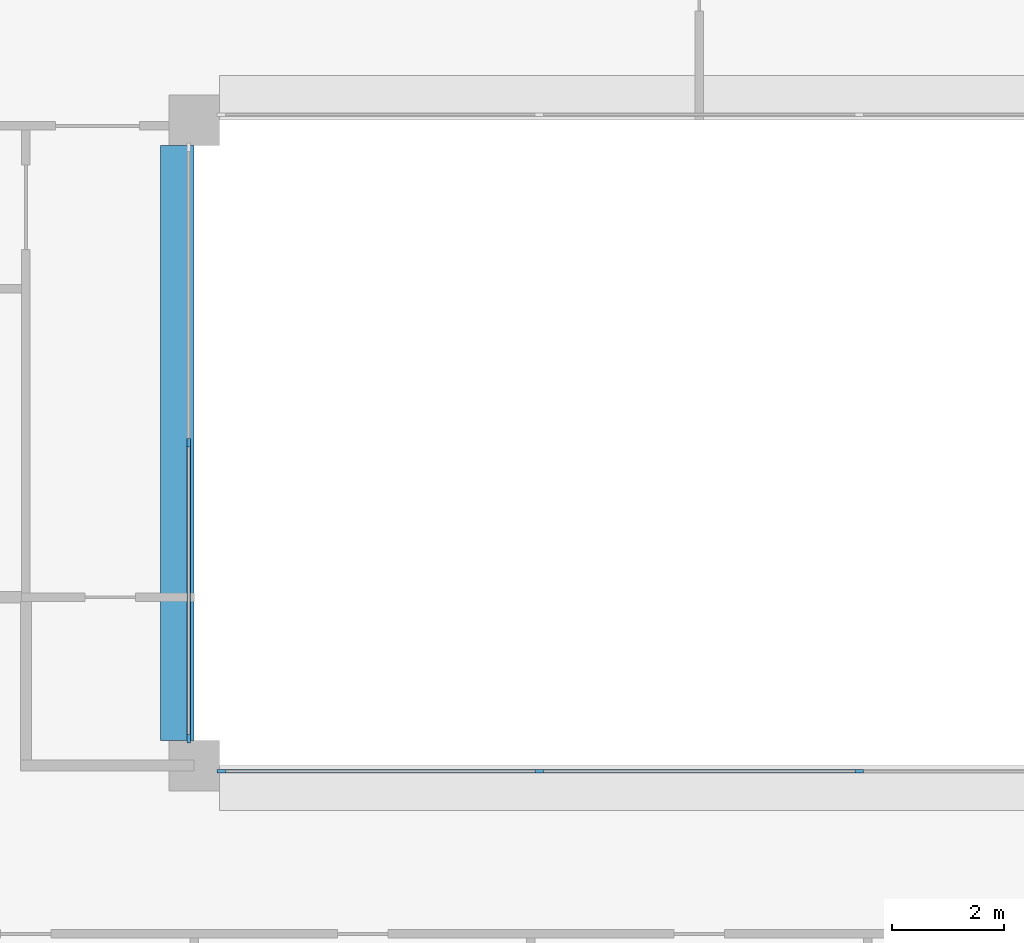
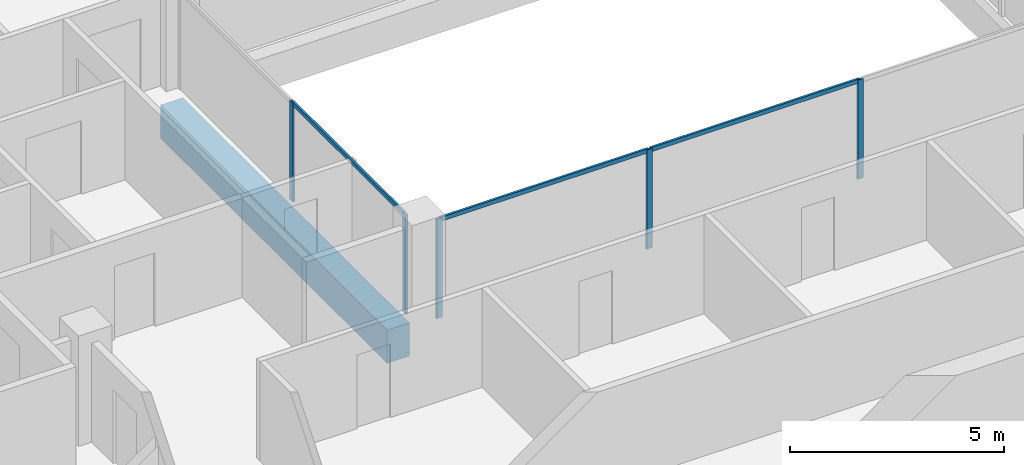
# One storey, part 2 of 16: 8 members, 1 beam, 2 elements without a shape of their own.
"""IFC4 building model written with IfcOpenShell, lengths in metres."""

from ifc_helpers import new_model, si_unit, direction, frame, origin, origin_2d, place, context, subcontext, project, spatial, rectangle, extrude, material, layer, layer_set, material_profile, profile_set, type_object, element, aggregate, save


model = new_model("IFC4")

# Units and contexts
model_context = context("Model", 3, precision=1e-05, world=origin(), true_north=direction((0.0, 1.0)))
body_context = subcontext(model_context, "Body", "Model", "MODEL_VIEW")
ifc_project = project(units=[si_unit("LENGTHUNIT", "METRE"), si_unit("AREAUNIT", "SQUARE_METRE"), si_unit("VOLUMEUNIT", "CUBIC_METRE"), si_unit("PLANEANGLEUNIT", "RADIAN"), si_unit("MASSUNIT", "GRAM", prefix="KILO")], contexts=[model_context])

# Site, building, storey
site_placement = place(None, origin())
site = spatial("IfcSite", under=ifc_project, at=site_placement, CompositionType="ELEMENT")
building_placement = place(site_placement, origin())
building = spatial("IfcBuilding", under=site, at=building_placement, Name="Brigalow Station Residences", CompositionType="ELEMENT")
storey_placement = place(building_placement, frame((0.0, 0.0, 204.300048828125)))
storey = spatial("IfcBuildingStorey", under=building, at=storey_placement, Name="L58", CompositionType="ELEMENT", Elevation=204.300048828125)

# Beam
ifc_material_1 = material(Name="Concrete C65", Category="concrete")
ifc_material_profile_1 = material_profile(ifc_material_1, rectangle(XDim=0.60009765625, YDim=0.949951171875, at=origin_2d()), Name="RC600x950")
ifc_profile_set_1 = profile_set([ifc_material_profile_1], Name="Concrete C65")
beam_type = type_object("IfcBeamType", Name="ATRIUM EDGE GIRDER 600x950 C65", PredefinedType="BEAM", material=ifc_profile_set_1)
beam_placement = place(storey_placement, frame((26.699951171875, 24.449951171875, -0.795166015625), z_axis=(0.0, 1.0, 0.0), x_axis=(-1.0, 0.0, 0.0)))
element("IfcBeam", 1, at=beam_placement, inside=storey, type_object=beam_type, Name="ATRIUM EDGE GIRDER 3 L58", PredefinedType="BEAM", context=body_context, shape_type="SweptSolid", body=[
    extrude(rectangle(XDim=0.60009765625, YDim=0.949951171875, at=origin_2d()), origin(), (0.0, 0.0, 1.0), 10.60009765625),
])

# Curtain wall, members
ifc_material_2 = material(Name="Aluminium", Category="aluminium")
ifc_layer = layer(ifc_material_2, 0.14990234375)
ifc_layer_set = layer_set([ifc_layer], Name="ATRIUM FIRE-RATED GLAZING CURTAIN WALL")
curtain_wall_type = type_object("IfcCurtainWallType", Name="ATRIUM FIRE-RATED GLAZING CURTAIN WALL", PredefinedType="NOTDEFINED", material=ifc_layer_set)
curtain_wall_1_placement = place(storey_placement, origin())
curtain_wall_1 = element("IfcCurtainWall", 2, at=curtain_wall_1_placement, inside=storey, type_object=curtain_wall_type, Name="L58/cw/atrium-S", PredefinedType="NOTDEFINED")
ifc_material_3 = material(Name="Aluminium", Category="aluminium")
ifc_material_profile_2 = material_profile(ifc_material_3, rectangle(XDim=0.06005859375, YDim=0.14990234375, at=origin_2d()), Name="ATRIUM FIRE-RATED GLAZING MULLION 60x150")
ifc_profile_set_2 = profile_set([ifc_material_profile_2], Name="Aluminium")
member_type_1 = type_object("IfcMemberType", Name="ATRIUM FIRE-RATED GLAZING MULLION 60x150", PredefinedType="MULLION", material=ifc_profile_set_2)
member_1_placement = place(storey_placement, frame((27.47998046875, 23.89990234375, 0.0), z_axis=(0.0, 0.0, 1.0), x_axis=(0.0, 1.0, 0.0)))
member_1 = element("IfcMember", 3, at=member_1_placement, type_object=member_type_1, Name="L58/cw/atrium-S/M00", PredefinedType="MULLION", context=body_context, shape_type="SweptSolid", body=[
    extrude(rectangle(XDim=0.06005859375, YDim=0.14990234375, at=origin_2d()), origin(), (0.0, 0.0, 1.0), 2.829833984375),
])
member_2_placement = place(storey_placement, frame((33.14990234375, 23.89990234375, 0.0), z_axis=(0.0, 0.0, 1.0), x_axis=(0.0, 1.0, 0.0)))
member_2 = element("IfcMember", 4, at=member_2_placement, type_object=member_type_1, Name="L58/cw/atrium-S/M01", PredefinedType="MULLION", context=body_context, shape_type="SweptSolid", body=[
    extrude(rectangle(XDim=0.06005859375, YDim=0.14990234375, at=origin_2d()), origin(), (0.0, 0.0, 1.0), 2.829833984375),
])
member_3_placement = place(storey_placement, frame((38.85009765625, 23.89990234375, 0.0), z_axis=(0.0, 0.0, 1.0), x_axis=(0.0, 1.0, 0.0)))
member_3 = element("IfcMember", 5, at=member_3_placement, type_object=member_type_1, Name="L58/cw/atrium-S/M02", PredefinedType="MULLION", context=body_context, shape_type="SweptSolid", body=[
    extrude(rectangle(XDim=0.06005859375, YDim=0.14990234375, at=origin_2d()), origin(), (0.0, 0.0, 1.0), 2.829833984375),
])

curtain_wall_2_placement = place(storey_placement, origin())
curtain_wall_2 = element("IfcCurtainWall", 6, at=curtain_wall_2_placement, inside=storey, type_object=curtain_wall_type, Name="L58/cw/atrium-W", PredefinedType="NOTDEFINED")
member_4_placement = place(storey_placement, frame((26.89990234375, 29.75, 0.0), z_axis=(0.0, 0.0, 1.0), x_axis=(1.0, 0.0, 0.0)))
member_4 = element("IfcMember", 7, at=member_4_placement, type_object=member_type_1, Name="L58/cw/atrium-W/M01", PredefinedType="MULLION", context=body_context, shape_type="SweptSolid", body=[
    extrude(rectangle(XDim=0.06005859375, YDim=0.14990234375, at=origin_2d()), origin(), (0.0, 0.0, 1.0), 2.829833984375),
])
member_5_placement = place(storey_placement, frame((26.89990234375, 24.47998046875, 0.0), z_axis=(0.0, 0.0, 1.0), x_axis=(1.0, 0.0, 0.0)))
member_5 = element("IfcMember", 8, at=member_5_placement, type_object=member_type_1, Name="L58/cw/atrium-W/M02", PredefinedType="MULLION", context=body_context, shape_type="SweptSolid", body=[
    extrude(rectangle(XDim=0.06005859375, YDim=0.14990234375, at=origin_2d()), origin(), (0.0, 0.0, 1.0), 2.829833984375),
])

# Member
ifc_material_4 = material(Name="Aluminium", Category="aluminium")
ifc_material_profile_3 = material_profile(ifc_material_4, rectangle(XDim=0.06005859375, YDim=0.1201171875, at=origin_2d()), Name="ATRIUM FIRE-RATED GLAZING TRANSOM 60x120")
ifc_profile_set_3 = profile_set([ifc_material_profile_3], Name="Aluminium")
member_type_2 = type_object("IfcMemberType", Name="ATRIUM FIRE-RATED GLAZING TRANSOM 60x120", PredefinedType="USERDEFINED", material=ifc_profile_set_3)
member_6_placement = place(storey_placement, frame((27.510009765625, 23.89990234375, 2.800048828125), z_axis=(1.0, 0.0, 0.0), x_axis=(0.0, 1.0, 0.0)))
member_6 = element("IfcMember", 9, at=member_6_placement, type_object=member_type_2, Name="L58/cw/atrium-S/T00-00", ObjectType="TRANSOM", PredefinedType="USERDEFINED", context=body_context, shape_type="SweptSolid", body=[
    extrude(rectangle(XDim=0.06005859375, YDim=0.1201171875, at=origin_2d()), origin(), (0.0, 0.0, 1.0), 5.610107421875),
])

member_7_placement = place(storey_placement, frame((33.179931640625, 23.89990234375, 2.800048828125), z_axis=(1.0, 0.0, 0.0), x_axis=(0.0, 1.0, 0.0)))
member_7 = element("IfcMember", 10, at=member_7_placement, type_object=member_type_2, Name="L58/cw/atrium-S/T01-00", ObjectType="TRANSOM", PredefinedType="USERDEFINED", context=body_context, shape_type="SweptSolid", body=[
    extrude(rectangle(XDim=0.06005859375, YDim=0.1201171875, at=origin_2d()), origin(), (0.0, 0.0, 1.0), 5.64013671875),
])

aggregate(curtain_wall_1, [member_1, member_2, member_3, member_6, member_7])

member_8_placement = place(storey_placement, frame((26.89990234375, 29.719970703125, 2.800048828125), z_axis=(0.0, -1.0, 0.0), x_axis=(1.0, 0.0, 0.0)))
member_8 = element("IfcMember", 11, at=member_8_placement, type_object=member_type_2, Name="L58/cw/atrium-W/T01-00", ObjectType="TRANSOM", PredefinedType="USERDEFINED", context=body_context, shape_type="SweptSolid", body=[
    extrude(rectangle(XDim=0.06005859375, YDim=0.1201171875, at=origin_2d()), origin(), (0.0, 0.0, 1.0), 5.2099609375),
])

aggregate(curtain_wall_2, [member_4, member_5, member_8])

save(model, "model.ifc")
